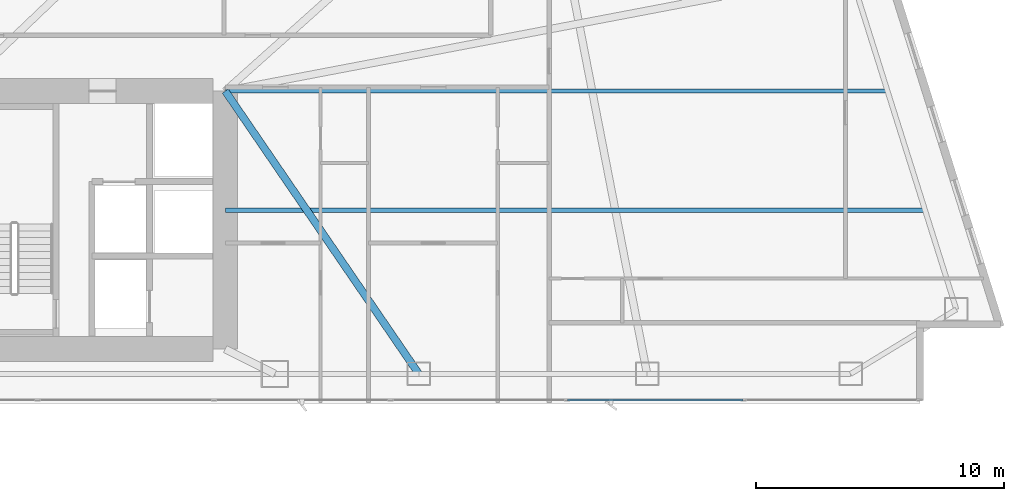
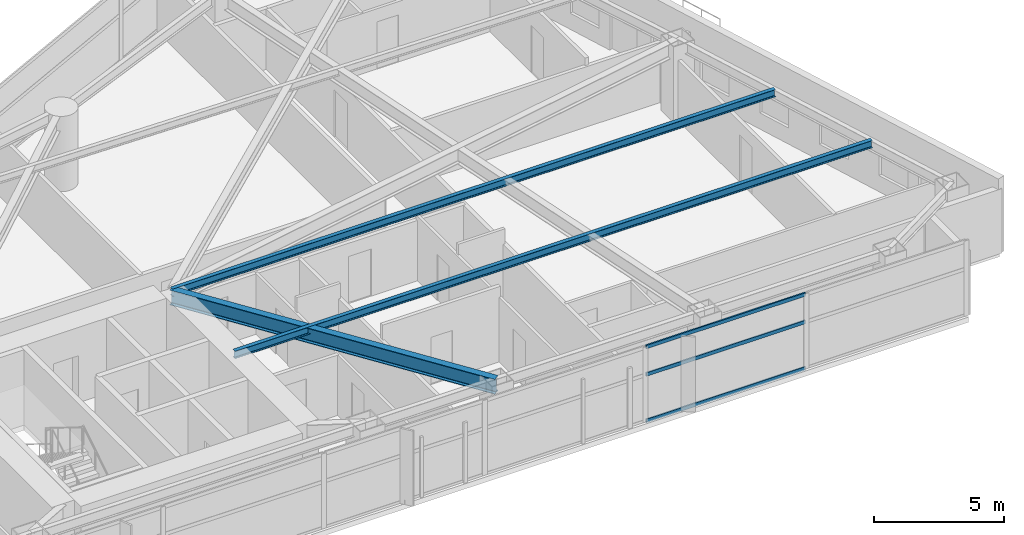
# One storey, part 12 of 28: 3 beams, 3 members, 1 element without a shape of its own.
"""IFC4 building model written with IfcOpenShell, lengths in metres."""

from ifc_helpers import new_model, si_unit, direction, frame, origin, origin_2d, place, context, subcontext, project, spatial, hollow_rectangle, i_section, extrude, material, layer, layer_set, material_profile, profile_set, type_object, element, aggregate, save


model = new_model("IFC4")

# Units and contexts
model_context = context("Model", 3, precision=1e-05, world=origin(), true_north=direction((0.0, 1.0)))
body_context = subcontext(model_context, "Body", "Model", "MODEL_VIEW")
ifc_project = project(units=[si_unit("LENGTHUNIT", "METRE"), si_unit("AREAUNIT", "SQUARE_METRE"), si_unit("VOLUMEUNIT", "CUBIC_METRE"), si_unit("PLANEANGLEUNIT", "RADIAN"), si_unit("MASSUNIT", "GRAM", prefix="KILO")], contexts=[model_context])

# Site, building, storey
site_placement = place(None, origin())
site = spatial("IfcSite", under=ifc_project, at=site_placement, CompositionType="ELEMENT")
building_placement = place(site_placement, origin())
building = spatial("IfcBuilding", under=site, at=building_placement, Name="Calvorn Quay Hotel", CompositionType="ELEMENT")
storey_placement = place(building_placement, frame((0.0, 0.0, 88.800048828125)))
storey = spatial("IfcBuildingStorey", under=building, at=storey_placement, Name="L21", CompositionType="ELEMENT", Elevation=88.800048828125)

# Beams
ifc_material_1 = material(Name="Steel Q390GJC", Category="steel")
ifc_material_profile_1 = material_profile(ifc_material_1, i_section(OverallWidth=0.300048828125, OverallDepth=0.699951171875, WebThickness=0.012939453125, FlangeThickness=0.02392578125, FilletRadius=0.02392578125, at=origin_2d()), Name="HN700x300x13x24")
ifc_profile_set_1 = profile_set([ifc_material_profile_1], Name="Steel Q390GJC")
beam_type_1 = type_object("IfcBeamType", Name="BM-GIRD-MAIN", PredefinedType="BEAM", material=ifc_profile_set_1)
beam_1_placement = place(storey_placement, frame((40.199951171875, 3.60009765625, 3.169921875), z_axis=(-0.564689618177, 0.825303359452, 0.0), x_axis=(-0.825303359452, -0.564689618177, 0.0)))
element("IfcBeam", 1, at=beam_1_placement, inside=storey, type_object=beam_type_1, Name="Beam BG-L21-E6", PredefinedType="BEAM", context=body_context, shape_type="SweptSolid", body=[
    extrude(i_section(OverallWidth=0.300048828125, OverallDepth=0.699951171875, WebThickness=0.012939453125, FlangeThickness=0.02392578125, FilletRadius=0.02392578125, at=origin_2d()), origin(), (0.0, 0.0, 1.0), 13.81298828125),
])
ifc_material_2 = material(Name="Steel Q355B", Category="steel")
ifc_material_profile_2 = material_profile(ifc_material_2, i_section(OverallWidth=0.175048828125, OverallDepth=0.35009765625, WebThickness=0.007080078125, FlangeThickness=0.010986328125, FilletRadius=0.013916015625, at=origin_2d()), Name="HN350x175x7x11")
ifc_profile_set_2 = profile_set([ifc_material_profile_2], Name="Steel Q355B")
beam_type_2 = type_object("IfcBeamType", Name="BM-JOIST-SEC", PredefinedType="JOIST", material=ifc_profile_set_2)
beam_2_placement = place(storey_placement, frame((32.39990234375, 10.199951171875, 3.344970703125), z_axis=(1.0, 0.0, 0.0), x_axis=(0.0, 1.0, 0.0)))
element("IfcBeam", 2, at=beam_2_placement, inside=storey, type_object=beam_type_2, Name="Beam BJ-L21-E1", PredefinedType="JOIST", context=body_context, shape_type="SweptSolid", body=[
    extrude(i_section(OverallWidth=0.175048828125, OverallDepth=0.35009765625, WebThickness=0.007080078125, FlangeThickness=0.010986328125, FilletRadius=0.013916015625, at=origin_2d()), origin(), (0.0, 0.0, 1.0), 28.201171875),
])
beam_3_placement = place(storey_placement, frame((32.39990234375, 15.0, 3.344970703125), z_axis=(1.0, 0.0, 0.0), x_axis=(0.0, 1.0, 0.0)))
element("IfcBeam", 3, at=beam_3_placement, inside=storey, type_object=beam_type_2, Name="Beam BJ-L21-E2", PredefinedType="JOIST", context=body_context, shape_type="SweptSolid", body=[
    extrude(i_section(OverallWidth=0.175048828125, OverallDepth=0.35009765625, WebThickness=0.007080078125, FlangeThickness=0.010986328125, FilletRadius=0.013916015625, at=origin_2d()), origin(), (0.0, 0.0, 1.0), 26.68798828125),
])

# Curtain wall, members
ifc_material_3 = material(Name="Pale Anodised Aluminium and Low-E Glass", Category="aluminium")
ifc_layer = layer(ifc_material_3, 0.219970703125)
ifc_layer_set = layer_set([ifc_layer], Name="CW-SYS-Z1")
curtain_wall_type = type_object("IfcCurtainWallType", Name="CW-SYS-Z1", PredefinedType="NOTDEFINED", material=ifc_layer_set)
curtain_wall_placement = place(storey_placement, origin())
curtain_wall = element("IfcCurtainWall", 4, at=curtain_wall_placement, inside=storey, type_object=curtain_wall_type, Name="Tower South Waterfront Curtain Wall (L21)", PredefinedType="NOTDEFINED")
ifc_material_4 = material(Name="Pale Anodised Aluminium 6063-T6", Category="aluminium")
ifc_material_profile_3 = material_profile(ifc_material_4, hollow_rectangle(XDim=0.06494140625, YDim=0.1650390625, WallThickness=0.00341796875, at=origin_2d()), Name="ALU-T165x65x3.5")
ifc_profile_set_3 = profile_set([ifc_material_profile_3], Name="Pale Anodised Aluminium 6063-T6")
member_type = type_object("IfcMemberType", Name="CW-SYS-Z1-TRN", PredefinedType="USERDEFINED", material=ifc_profile_set_3)
member_1_placement = place(storey_placement, frame((46.201416015625, 2.550048828125, 0.030029296875), z_axis=(1.0, 0.0, 0.0), x_axis=(0.0, 1.0, 0.0)))
member_1 = element("IfcMember", 5, at=member_1_placement, type_object=member_type, Name="CW-L21-S transom 6.1", ObjectType="TRANSOM", PredefinedType="USERDEFINED", context=body_context, shape_type="SweptSolid", body=[
    extrude(hollow_rectangle(XDim=0.06494140625, YDim=0.1650390625, WallThickness=0.00341796875, at=origin_2d()), origin(), (0.0, 0.0, 1.0), 7.05419921875),
])
member_2_placement = place(storey_placement, frame((46.201416015625, 2.550048828125, 2.199951171875), z_axis=(1.0, 0.0, 0.0), x_axis=(0.0, 1.0, 0.0)))
member_2 = element("IfcMember", 6, at=member_2_placement, type_object=member_type, Name="CW-L21-S transom 6.2", ObjectType="TRANSOM", PredefinedType="USERDEFINED", context=body_context, shape_type="SweptSolid", body=[
    extrude(hollow_rectangle(XDim=0.06494140625, YDim=0.1650390625, WallThickness=0.00341796875, at=origin_2d()), origin(), (0.0, 0.0, 1.0), 7.05419921875),
])
member_3_placement = place(storey_placement, frame((46.201416015625, 2.550048828125, 3.489990234375), z_axis=(1.0, 0.0, 0.0), x_axis=(0.0, 1.0, 0.0)))
member_3 = element("IfcMember", 7, at=member_3_placement, type_object=member_type, Name="CW-L21-S transom 6.3", ObjectType="TRANSOM", PredefinedType="USERDEFINED", context=body_context, shape_type="SweptSolid", body=[
    extrude(hollow_rectangle(XDim=0.06494140625, YDim=0.1650390625, WallThickness=0.00341796875, at=origin_2d()), origin(), (0.0, 0.0, 1.0), 7.05419921875),
])
aggregate(curtain_wall, [member_1, member_2, member_3])

save(model, "model.ifc")
